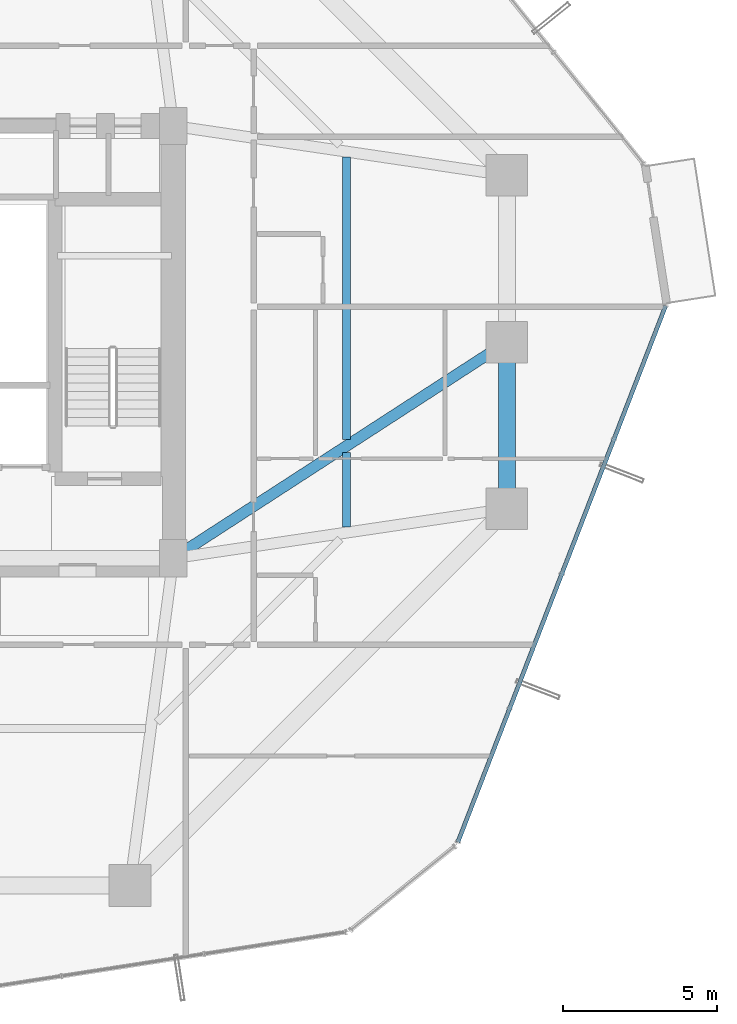
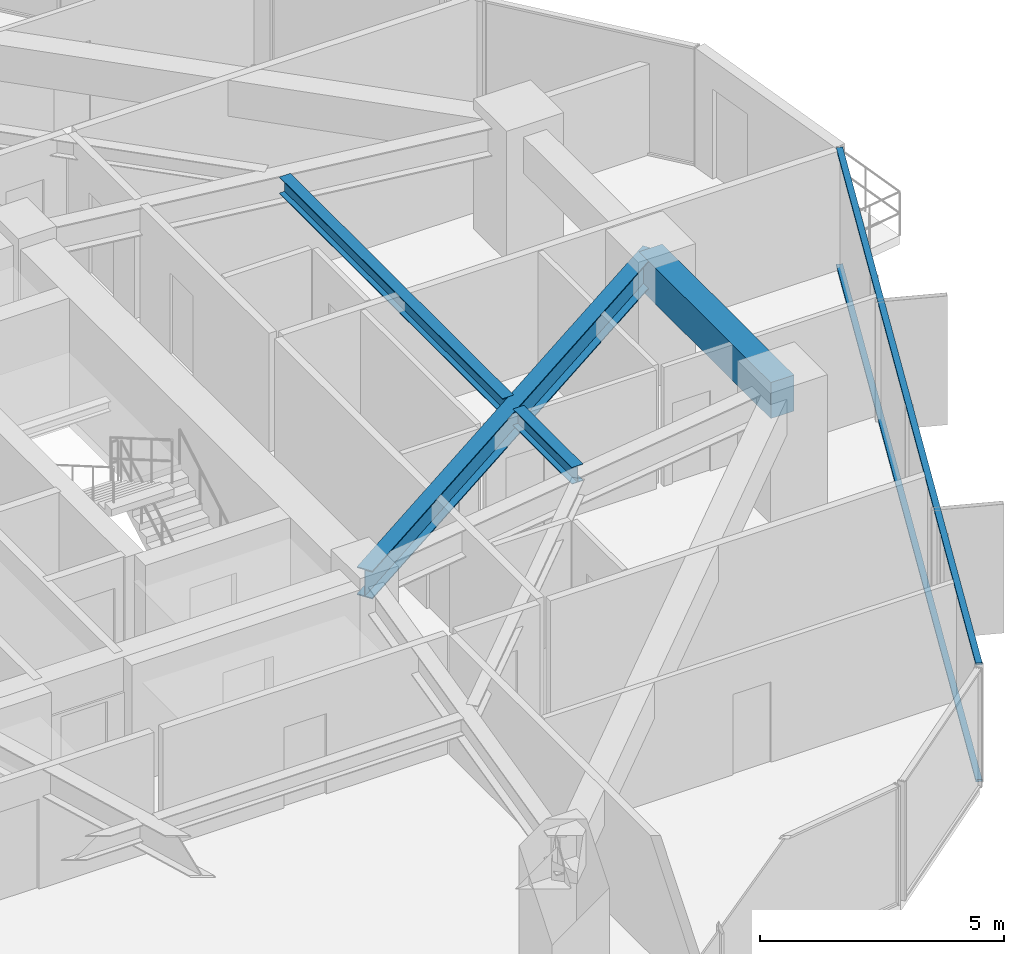
# One storey, part 17 of 37: 4 beams, 2 members, 1 element without a shape of its own.
"""IFC4 building model written with IfcOpenShell, lengths in metres."""

from ifc_helpers import new_model, si_unit, direction, frame, origin, origin_2d, place, context, subcontext, project, spatial, rectangle, hollow_rectangle, i_section, extrude, source, transform, mapped, material, layer, layer_set, material_profile, profile_set, type_object, element, aggregate, save


model = new_model("IFC4")

# Units and contexts
model_context = context("Model", 3, precision=1e-05, world=origin(), true_north=direction((0.0, 1.0)))
body_context = subcontext(model_context, "Body", "Model", "MODEL_VIEW")
ifc_project = project(units=[si_unit("LENGTHUNIT", "METRE"), si_unit("AREAUNIT", "SQUARE_METRE"), si_unit("VOLUMEUNIT", "CUBIC_METRE"), si_unit("PLANEANGLEUNIT", "RADIAN"), si_unit("MASSUNIT", "GRAM", prefix="KILO")], contexts=[model_context])

# Site, building, storey
site_placement = place(None, origin())
site = spatial("IfcSite", under=ifc_project, at=site_placement, CompositionType="ELEMENT")
building_placement = place(site_placement, origin())
building = spatial("IfcBuilding", under=site, at=building_placement, Name="Veraguas Prism Commons", CompositionType="ELEMENT")
storey_placement = place(building_placement, frame((0.0, 0.0, 53.300048828125)))
storey = spatial("IfcBuildingStorey", under=building, at=storey_placement, Name="L14", CompositionType="ELEMENT", Elevation=53.300048828125)

# Beams
ifc_material_1 = material(Name="Steel ASTM A992 Grade 50", Category="steel")
ifc_material_profile_1 = material_profile(ifc_material_1, i_section(OverallWidth=0.260986328125, OverallDepth=0.419921875, WebThickness=0.01171875, FlangeThickness=0.019287109375, at=origin_2d()), Name="W410X114")
ifc_profile_set_1 = profile_set([ifc_material_profile_1], Name="Steel ASTM A992 Grade 50")
beam_type_1 = type_object("IfcBeamType", Name="Lower Floor Joist W410x114", PredefinedType="JOIST", material=ifc_profile_set_1)
beam_1_placement = place(storey_placement, frame((36.416015625, 18.010009765625, 2.760009765625), z_axis=(0.0, 1.0, 0.0), x_axis=(-1.0, 0.0, 0.0)))
element("IfcBeam", 1, at=beam_1_placement, inside=storey, type_object=beam_type_1, Name="Composite Floor Joist L14-JS01", PredefinedType="JOIST", context=body_context, shape_type="SweptSolid", body=[
    extrude(i_section(OverallWidth=0.260986328125, OverallDepth=0.419921875, WebThickness=0.01171875, FlangeThickness=0.019287109375, at=origin_2d()), origin(), (0.0, 0.0, 1.0), 2.42041015625),
])
beam_2_placement = place(storey_placement, frame((36.416015625, 20.849609375, 2.760009765625), z_axis=(0.0, 1.0, 0.0), x_axis=(-1.0, 0.0, 0.0)))
element("IfcBeam", 2, at=beam_2_placement, inside=storey, type_object=beam_type_1, Name="Composite Floor Joist L14-JS02", PredefinedType="JOIST", context=body_context, shape_type="SweptSolid", body=[
    extrude(i_section(OverallWidth=0.260986328125, OverallDepth=0.419921875, WebThickness=0.01171875, FlangeThickness=0.019287109375, at=origin_2d()), origin(), (0.0, 0.0, 1.0), 9.140380859375),
])
ifc_material_2 = material(Name="Concrete C50/60", Category="concrete")
ifc_material_profile_2 = material_profile(ifc_material_2, rectangle(XDim=0.550048828125, YDim=0.89990234375, at=origin_2d()), Name="RC550X900")
ifc_profile_set_2 = profile_set([ifc_material_profile_2], Name="Concrete C50/60")
beam_type_2 = type_object("IfcBeamType", Name="Perimeter Spandrel Lower RC 550x900", PredefinedType="SPANDREL", material=ifc_profile_set_2)
beam_3_placement = place(storey_placement, frame((41.60009765625, 18.60009765625, 2.52001953125), z_axis=(0.0, 1.0, 0.0), x_axis=(-1.0, 0.0, 0.0)))
element("IfcBeam", 3, at=beam_3_placement, inside=storey, type_object=beam_type_2, Name="Perimeter Spandrel Beam L14-SP01", PredefinedType="SPANDREL", context=body_context, shape_type="SweptSolid", body=[
    extrude(rectangle(XDim=0.550048828125, YDim=0.89990234375, at=origin_2d()), origin(), (0.0, 0.0, 1.0), 5.39990234375),
])
ifc_material_profile_3 = material_profile(ifc_material_1, i_section(OverallWidth=0.35595703125, OverallDepth=0.700927734375, WebThickness=0.016845703125, FlangeThickness=0.02734375, at=origin_2d()), Name="W690X240")
ifc_profile_set_3 = profile_set([ifc_material_profile_3], Name="Steel ASTM A992 Grade 50")
beam_type_3 = type_object("IfcBeamType", Name="Zone 1 Radial Girder W690x240", PredefinedType="BEAM", material=ifc_profile_set_3)
beam_4_placement = place(storey_placement, frame((41.60009765625, 24.0, 2.619384765625), z_axis=(-0.839154108875, -0.543893722668, 0.0), x_axis=(0.543893722668, -0.839154108875, 0.0)))
element("IfcBeam", 4, at=beam_4_placement, inside=storey, type_object=beam_type_3, Name="Radial Floor Girder L14-RD02", PredefinedType="BEAM", context=body_context, shape_type="SweptSolid", body=[
    extrude(i_section(OverallWidth=0.35595703125, OverallDepth=0.700927734375, WebThickness=0.016845703125, FlangeThickness=0.02734375, at=origin_2d()), origin(), (0.0, 0.0, 1.0), 12.8701171875),
])

# Curtain wall, members
ifc_material_3 = material(Name="Anodised aluminium EN AW-6063 T6", Category="aluminium")
ifc_layer = layer(ifc_material_3, 0.169921875, Name="Unitised Flush Curtain Wall Zone 1", Category="aluminium")
ifc_layer_set = layer_set([ifc_layer], Name="Anodised aluminium EN AW-6063 T6")
curtain_wall_type = type_object("IfcCurtainWallType", Name="Unitised Flush Curtain Wall Zone 1", PredefinedType="NOTDEFINED", material=ifc_layer_set)
curtain_wall_placement = place(storey_placement, origin())
curtain_wall = element("IfcCurtainWall", 5, at=curtain_wall_placement, inside=storey, type_object=curtain_wall_type, Name="Tower Facade Curtain Wall L14-F6", PredefinedType="NOTDEFINED")
ifc_material_profile_4 = material_profile(ifc_material_3, hollow_rectangle(XDim=0.054931640625, YDim=0.135009765625, WallThickness=0.0029296875, at=origin_2d()), Name="AL55X135X3")
ifc_profile_set_4 = profile_set([ifc_material_profile_4], Name="Anodised aluminium EN AW-6063 T6")
member_type = type_object("IfcMemberType", Name="Curtain Wall Transom Standard AL 55x135x3", PredefinedType="USERDEFINED", material=ifc_profile_set_4)
shared_shape = source(origin(), body_context, "Body", "SweptSolid", [
    extrude(hollow_rectangle(XDim=0.054931640625, YDim=0.135009765625, WallThickness=0.0029296875, at=origin_2d()), origin(), (0.0, 0.0, 1.0), 18.6240234375),
])
member_1_placement = place(storey_placement, frame((40.016357421875, 7.8076171875, 0.02734375), z_axis=(0.361283882877, 0.932455873473, 0.0), x_axis=(0.0, 0.0, 1.0)))
member_1 = element("IfcMember", 6, at=member_1_placement, type_object=member_type, Name="CW-Z1 Transom 1", ObjectType="TRANSOM", PredefinedType="USERDEFINED", context=body_context, shape_type="MappedRepresentation", body=[
    mapped(shared_shape, transform((0.0, 0.0, 0.0), scale=1.0)),
])
member_2_placement = place(storey_placement, frame((40.016357421875, 7.8076171875, 2.9423828125), z_axis=(0.361283882877, 0.932455873473, 0.0), x_axis=(0.0, 0.0, 1.0)))
member_2 = element("IfcMember", 7, at=member_2_placement, type_object=member_type, Name="CW-Z1 Transom 2", ObjectType="TRANSOM", PredefinedType="USERDEFINED", context=body_context, shape_type="MappedRepresentation", body=[
    mapped(shared_shape, transform((0.0, 0.0, 0.0), scale=1.0)),
])
aggregate(curtain_wall, [member_1, member_2])

save(model, "model.ifc")
